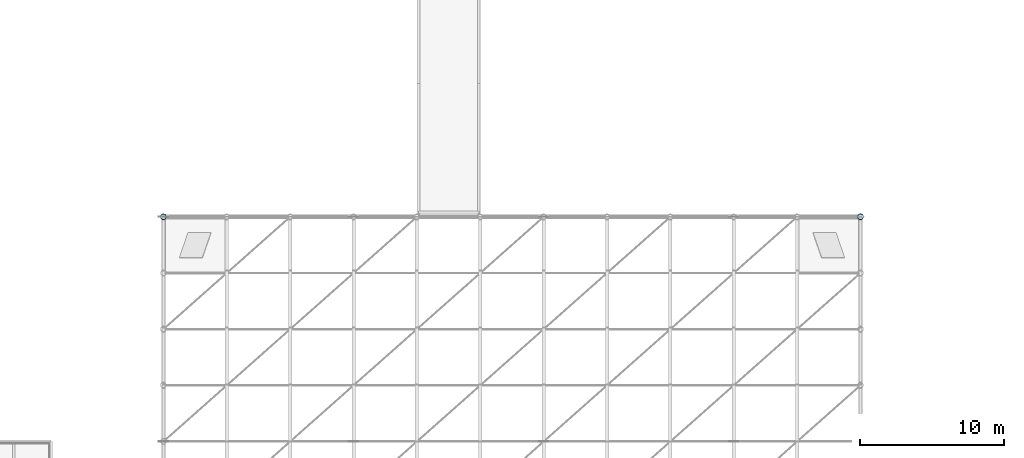
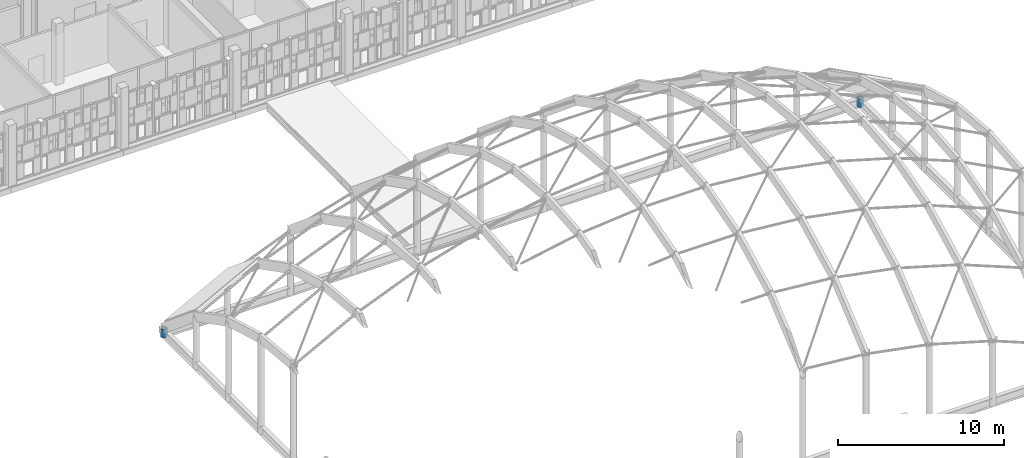
# One storey, part 14 of 119: 2 columns.
"""IFC4 building model written with IfcOpenShell, lengths in metres."""

from ifc_helpers import new_model, si_unit, direction, frame, origin, origin_2d, place, context, subcontext, project, spatial, hollow_circle, extrude, material, material_profile, profile_set, type_object, element, save


model = new_model("IFC4")

# Units and contexts
model_context = context("Model", 3, precision=1e-05, world=origin(), true_north=direction((0.0, 1.0)))
body_context = subcontext(model_context, "Body", "Model", "MODEL_VIEW")
ifc_project = project(units=[si_unit("LENGTHUNIT", "METRE"), si_unit("AREAUNIT", "SQUARE_METRE"), si_unit("VOLUMEUNIT", "CUBIC_METRE"), si_unit("PLANEANGLEUNIT", "RADIAN"), si_unit("MASSUNIT", "GRAM", prefix="KILO")], contexts=[model_context])

# Site, building, storey
site_placement = place(None, origin())
site = spatial("IfcSite", under=ifc_project, at=site_placement, CompositionType="ELEMENT")
building_placement = place(site_placement, origin())
building = spatial("IfcBuilding", under=site, at=building_placement, Name="Celorna Specialist Clinic", CompositionType="ELEMENT")
storey_placement = place(building_placement, frame((0.0, 0.0, 9.60009765625)))
storey = spatial("IfcBuildingStorey", under=building, at=storey_placement, Name="L02", CompositionType="ELEMENT", Elevation=9.60009765625)

# Columns
ifc_material = material(Name="Steel S355", Category="steel")
ifc_material_profile = material_profile(ifc_material, hollow_circle(Radius=0.203125, WallThickness=0.01611328125, at=origin_2d()), Name="CHS 406.4x16")
ifc_profile_set = profile_set([ifc_material_profile], Name="Steel S355")
column_type = type_object("IfcColumnType", Name="CT-12", PredefinedType="COLUMN", material=ifc_profile_set)
for number, where, z_axis, x_axis, name in (
    (1, (54.60009765625, 78.0, 0.0), (0.0, 0.0, 1.0), (1.0, 0.0, 0.0), "Column CT-12 L02 X08/YP"),
    (2, (103.0, 78.0, 0.0), (0.0, 0.0, 1.0), (1.0, 0.0, 0.0), "Column CT-12 L02 X14A/YP"),
):
    element("IfcColumn", number, at=place(storey_placement, frame(where, z_axis=z_axis, x_axis=x_axis)), inside=storey, type_object=column_type, Name=name, PredefinedType="COLUMN", context=body_context, shape_type="SweptSolid", body=[
        extrude(hollow_circle(Radius=0.203125, WallThickness=0.01611328125, at=origin_2d()), origin(), (0.0, 0.0, 1.0), 0.599853515625),
    ])

save(model, "model.ifc")
